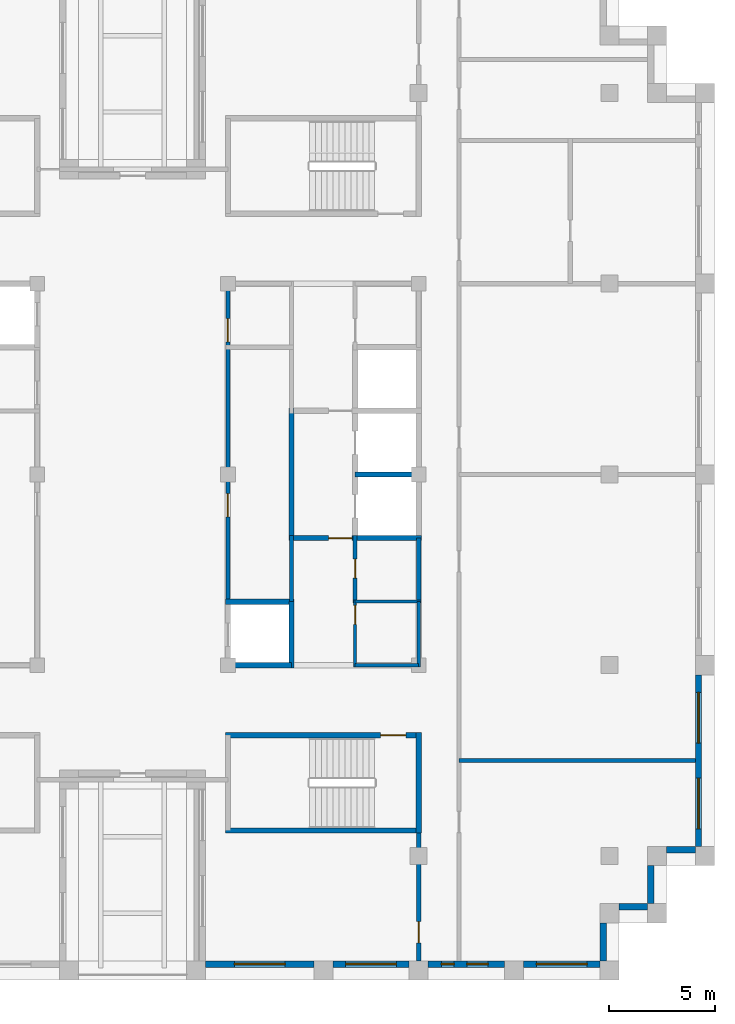
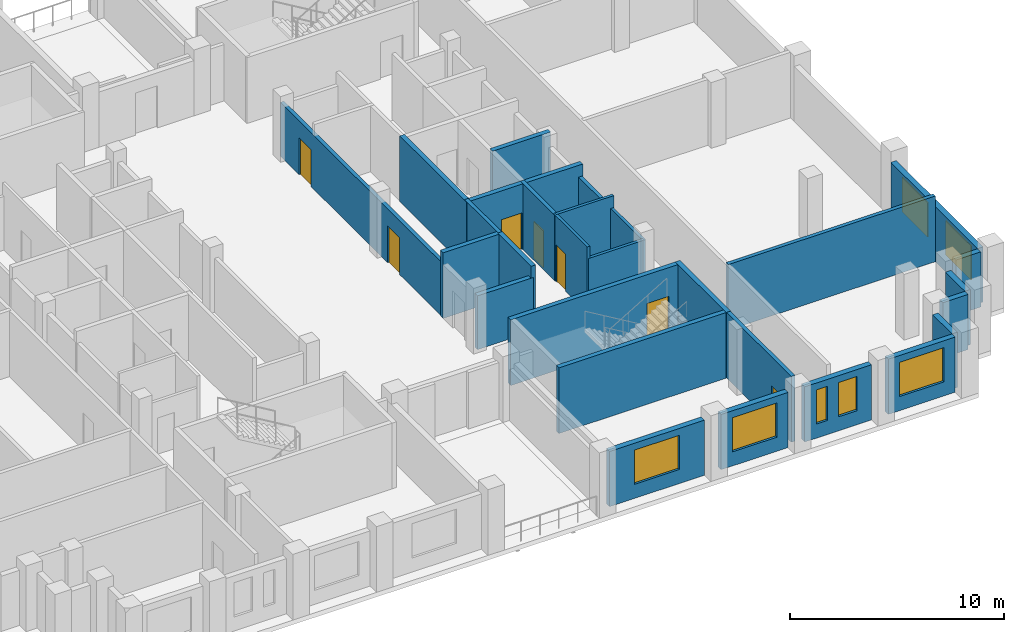
# One storey, part 4 of 9: 28 walls, 7 doors, 7 windows, 14 openings.
"""IFC4 building model written with IfcOpenShell, lengths in metres."""

from ifc_helpers import new_model, si_unit, direction, frame, frame_2d, origin, place, context, subcontext, project, spatial, rectangle, extrude, material, layer, layer_set, type_object, element, fill, save


model = new_model("IFC4")

# Units and contexts
model_context = context("Model", 3, precision=1e-05, world=origin(), true_north=direction((0.0, 1.0)))
body_context = subcontext(model_context, "Body", "Model", "MODEL_VIEW")
ifc_project = project(units=[si_unit("LENGTHUNIT", "METRE"), si_unit("AREAUNIT", "SQUARE_METRE"), si_unit("VOLUMEUNIT", "CUBIC_METRE"), si_unit("PLANEANGLEUNIT", "RADIAN"), si_unit("MASSUNIT", "GRAM", prefix="KILO")], contexts=[model_context])

# Site, building, storey
site_placement = place(None, origin())
site = spatial("IfcSite", under=ifc_project, at=site_placement, CompositionType="ELEMENT")
building_placement = place(site_placement, origin())
building = spatial("IfcBuilding", under=site, at=building_placement, Name="Corbelhall Arena Tower", CompositionType="ELEMENT")
storey_placement = place(building_placement, frame((0.0, 0.0, 300.0)))
storey = spatial("IfcBuildingStorey", under=building, at=storey_placement, Name="L65", CompositionType="ELEMENT", Elevation=300.0)

# Wall, opening, window
ifc_material_1 = material(Name="Precast concrete C40/50 with granite facing", Category="masonry")
ifc_layer_1 = layer(ifc_material_1, 0.300048828125)
ifc_layer_set_1 = layer_set([ifc_layer_1], Name="EV-IW1 Infill panel 300")
wall_type_1 = type_object("IfcWallType", Name="EV-IW1 Infill panel 300", PredefinedType="SOLIDWALL", material=ifc_layer_set_1)
wall_1_placement = place(storey_placement, frame((3.449951171875, -23.10009765625, 0.0), z_axis=(0.0, 0.0, 1.0), x_axis=(1.0, 0.0, 0.0)))
wall_1 = element("IfcWall", 1, at=wall_1_placement, inside=storey, type_object=wall_type_1, Name="Infill panel IW1", PredefinedType="SOLIDWALL", context=body_context, shape_type="SweptSolid", body=[
    extrude(rectangle(XDim=5.10009765625, YDim=0.300048828125, at=frame_2d((2.550048828125, 0.0))), origin(), (0.0, 0.0, 1.0), 3.139892578125),
])
opening_1_placement = place(wall_1_placement, frame((1.35009765625, 0.0, 0.800048828125)))
opening_1 = element("IfcOpeningElement", 2, at=opening_1_placement, cuts=wall_1, Name="Opening WN1", PredefinedType="OPENING", context=body_context, shape_type="SweptSolid", body=[
    extrude(rectangle(XDim=2.39990234375, YDim=1.949951171875, at=frame_2d((1.199951171875, 0.97509765625))), frame((0.0, 0.14990234375, 0.0), z_axis=(0.0, -1.0, 0.0), x_axis=(1.0, 0.0, 0.0)), (0.0, 0.0, 1.0), 0.300048828125),
])
ifc_material_2 = material(Name="Aluminium black anodised", Category="aluminium")
window_type_1 = type_object("IfcWindowType", Name="EV-WN1 Office window", PartitioningType="SINGLE_PANEL", PredefinedType="WINDOW", material=ifc_material_2)
window_1_placement = place(opening_1_placement, origin())
window_1 = element("IfcWindow", 3, at=window_1_placement, inside=storey, type_object=window_type_1, Name="Window WN1", OverallHeight=1.949951171875, OverallWidth=2.39990234375, PartitioningType="SINGLE_PANEL", PredefinedType="WINDOW", context=body_context, shape_type="SweptSolid", body=[
    extrude(rectangle(XDim=2.39990234375, YDim=1.949951171875, at=frame_2d((1.199951171875, 0.97509765625))), frame((0.0, 0.030029296875, 0.0), z_axis=(0.0, -1.0, 0.0), x_axis=(1.0, 0.0, 0.0)), (0.0, 0.0, 1.0), 0.06005859375),
])
fill(opening_1, window_1)

wall_2_placement = place(storey_placement, frame((9.449951171875, -23.10009765625, 0.0), z_axis=(0.0, 0.0, 1.0), x_axis=(1.0, 0.0, 0.0)))
wall_2 = element("IfcWall", 4, at=wall_2_placement, inside=storey, type_object=wall_type_1, Name="Infill panel IW1", PredefinedType="SOLIDWALL", context=body_context, shape_type="SweptSolid", body=[
    extrude(rectangle(XDim=3.60009765625, YDim=0.300048828125, at=frame_2d((1.800048828125, 0.0))), origin(), (0.0, 0.0, 1.0), 3.139892578125),
])
opening_2_placement = place(wall_2_placement, frame((0.60009765625, 0.0, 0.800048828125)))
opening_2 = element("IfcOpeningElement", 5, at=opening_2_placement, cuts=wall_2, Name="Opening WN1", PredefinedType="OPENING", context=body_context, shape_type="SweptSolid", body=[
    extrude(rectangle(XDim=2.39990234375, YDim=1.949951171875, at=frame_2d((1.199951171875, 0.97509765625))), frame((0.0, 0.14990234375, 0.0), z_axis=(0.0, -1.0, 0.0), x_axis=(1.0, 0.0, 0.0)), (0.0, 0.0, 1.0), 0.300048828125),
])
window_2_placement = place(opening_2_placement, origin())
window_2 = element("IfcWindow", 6, at=window_2_placement, inside=storey, type_object=window_type_1, Name="Window WN1", OverallHeight=1.949951171875, OverallWidth=2.39990234375, PartitioningType="SINGLE_PANEL", PredefinedType="WINDOW", context=body_context, shape_type="SweptSolid", body=[
    extrude(rectangle(XDim=2.39990234375, YDim=1.949951171875, at=frame_2d((1.199951171875, 0.97509765625))), frame((0.0, 0.030029296875, 0.0), z_axis=(0.0, -1.0, 0.0), x_axis=(1.0, 0.0, 0.0)), (0.0, 0.0, 1.0), 0.06005859375),
])
fill(opening_2, window_2)

# Wall, openings, windows
wall_3_placement = place(storey_placement, frame((13.949951171875, -23.10009765625, 0.0), z_axis=(0.0, 0.0, 1.0), x_axis=(1.0, 0.0, 0.0)))
wall_3 = element("IfcWall", 7, at=wall_3_placement, inside=storey, type_object=wall_type_1, Name="Infill panel IW1", PredefinedType="SOLIDWALL", context=body_context, shape_type="SweptSolid", body=[
    extrude(rectangle(XDim=3.60009765625, YDim=0.300048828125, at=frame_2d((1.800048828125, 0.0))), origin(), (0.0, 0.0, 1.0), 3.139892578125),
])
opening_3_placement = place(wall_3_placement, frame((0.625, 0.0, 0.800048828125)))
opening_3 = element("IfcOpeningElement", 8, at=opening_3_placement, cuts=wall_3, Name="Opening WN5", PredefinedType="OPENING", context=body_context, shape_type="SweptSolid", body=[
    extrude(rectangle(XDim=0.60009765625, YDim=1.949951171875, at=frame_2d((0.300048828125, 0.97509765625))), frame((0.0, 0.14990234375, 0.0), z_axis=(0.0, -1.0, 0.0), x_axis=(1.0, 0.0, 0.0)), (0.0, 0.0, 1.0), 0.300048828125),
])
opening_4_placement = place(wall_3_placement, frame((1.824951171875, 0.0, 0.800048828125)))
opening_4 = element("IfcOpeningElement", 9, at=opening_4_placement, cuts=wall_3, Name="Opening WN6", PredefinedType="OPENING", context=body_context, shape_type="SweptSolid", body=[
    extrude(rectangle(XDim=1.0, YDim=1.949951171875, at=frame_2d((0.5, 0.97509765625))), frame((0.0, 0.14990234375, 0.0), z_axis=(0.0, -1.0, 0.0), x_axis=(1.0, 0.0, 0.0)), (0.0, 0.0, 1.0), 0.300048828125),
])
window_type_2 = type_object("IfcWindowType", Name="EV-WN5 Office window 600", PartitioningType="SINGLE_PANEL", PredefinedType="WINDOW", material=ifc_material_2)
window_3_placement = place(opening_3_placement, origin())
window_3 = element("IfcWindow", 10, at=window_3_placement, inside=storey, type_object=window_type_2, Name="Window WN5", OverallHeight=1.949951171875, OverallWidth=0.60009765625, PartitioningType="SINGLE_PANEL", PredefinedType="WINDOW", context=body_context, shape_type="SweptSolid", body=[
    extrude(rectangle(XDim=0.60009765625, YDim=1.949951171875, at=frame_2d((0.300048828125, 0.97509765625))), frame((0.0, 0.030029296875, 0.0), z_axis=(0.0, -1.0, 0.0), x_axis=(1.0, 0.0, 0.0)), (0.0, 0.0, 1.0), 0.06005859375),
])
fill(opening_3, window_3)
window_type_3 = type_object("IfcWindowType", Name="EV-WN6 Office window 1000", PartitioningType="SINGLE_PANEL", PredefinedType="WINDOW", material=ifc_material_2)
window_4_placement = place(opening_4_placement, origin())
window_4 = element("IfcWindow", 11, at=window_4_placement, inside=storey, type_object=window_type_3, Name="Window WN6", OverallHeight=1.949951171875, OverallWidth=1.0, PartitioningType="SINGLE_PANEL", PredefinedType="WINDOW", context=body_context, shape_type="SweptSolid", body=[
    extrude(rectangle(XDim=1.0, YDim=1.949951171875, at=frame_2d((0.5, 0.97509765625))), frame((0.0, 0.030029296875, 0.0), z_axis=(0.0, -1.0, 0.0), x_axis=(1.0, 0.0, 0.0)), (0.0, 0.0, 1.0), 0.06005859375),
])
fill(opening_4, window_4)

# Wall, opening, window
wall_4_placement = place(storey_placement, frame((18.449951171875, -23.10009765625, 0.0), z_axis=(0.0, 0.0, 1.0), x_axis=(1.0, 0.0, 0.0)))
wall_4 = element("IfcWall", 12, at=wall_4_placement, inside=storey, type_object=wall_type_1, Name="Infill panel IW1", PredefinedType="SOLIDWALL", context=body_context, shape_type="SweptSolid", body=[
    extrude(rectangle(XDim=3.60009765625, YDim=0.300048828125, at=frame_2d((1.800048828125, 0.0))), origin(), (0.0, 0.0, 1.0), 3.139892578125),
])
opening_5_placement = place(wall_4_placement, frame((0.60009765625, 0.0, 0.800048828125)))
opening_5 = element("IfcOpeningElement", 13, at=opening_5_placement, cuts=wall_4, Name="Opening WN1", PredefinedType="OPENING", context=body_context, shape_type="SweptSolid", body=[
    extrude(rectangle(XDim=2.39990234375, YDim=1.949951171875, at=frame_2d((1.199951171875, 0.97509765625))), frame((0.0, 0.14990234375, 0.0), z_axis=(0.0, -1.0, 0.0), x_axis=(1.0, 0.0, 0.0)), (0.0, 0.0, 1.0), 0.300048828125),
])
window_5_placement = place(opening_5_placement, origin())
window_5 = element("IfcWindow", 14, at=window_5_placement, inside=storey, type_object=window_type_1, Name="Window WN1", OverallHeight=1.949951171875, OverallWidth=2.39990234375, PartitioningType="SINGLE_PANEL", PredefinedType="WINDOW", context=body_context, shape_type="SweptSolid", body=[
    extrude(rectangle(XDim=2.39990234375, YDim=1.949951171875, at=frame_2d((1.199951171875, 0.97509765625))), frame((0.0, 0.030029296875, 0.0), z_axis=(0.0, -1.0, 0.0), x_axis=(1.0, 0.0, 0.0)), (0.0, 0.0, 1.0), 0.06005859375),
])
fill(opening_5, window_5)

# Walls
wall_5_placement = place(storey_placement, frame((22.199951171875, -22.949951171875, 0.0), z_axis=(0.0, 0.0, 1.0), x_axis=(0.0, 1.0, 0.0)))
element("IfcWall", 15, at=wall_5_placement, inside=storey, type_object=wall_type_1, Name="Infill panel IW1", PredefinedType="SOLIDWALL", context=body_context, shape_type="SweptSolid", body=[
    extrude(rectangle(XDim=1.800048828125, YDim=0.300048828125, at=frame_2d((0.89990234375, 0.0))), origin(), (0.0, 0.0, 1.0), 3.139892578125),
])
wall_6_placement = place(storey_placement, frame((22.949951171875, -20.39990234375, 0.0), z_axis=(0.0, 0.0, 1.0), x_axis=(1.0, 0.0, 0.0)))
element("IfcWall", 16, at=wall_6_placement, inside=storey, type_object=wall_type_1, Name="Infill panel IW1", PredefinedType="SOLIDWALL", context=body_context, shape_type="SweptSolid", body=[
    extrude(rectangle(XDim=1.35009765625, YDim=0.300048828125, at=frame_2d((0.675048828125, 0.0))), origin(), (0.0, 0.0, 1.0), 3.139892578125),
])
wall_7_placement = place(storey_placement, frame((24.449951171875, -20.25, 0.0), z_axis=(0.0, 0.0, 1.0), x_axis=(0.0, 1.0, 0.0)))
element("IfcWall", 17, at=wall_7_placement, inside=storey, type_object=wall_type_1, Name="Infill panel IW1", PredefinedType="SOLIDWALL", context=body_context, shape_type="SweptSolid", body=[
    extrude(rectangle(XDim=1.800048828125, YDim=0.300048828125, at=frame_2d((0.89990234375, 0.0))), origin(), (0.0, 0.0, 1.0), 3.139892578125),
])
wall_8_placement = place(storey_placement, frame((25.199951171875, -17.699951171875, 0.0), z_axis=(0.0, 0.0, 1.0), x_axis=(1.0, 0.0, 0.0)))
element("IfcWall", 18, at=wall_8_placement, inside=storey, type_object=wall_type_1, Name="Infill panel IW1", PredefinedType="SOLIDWALL", context=body_context, shape_type="SweptSolid", body=[
    extrude(rectangle(XDim=1.35009765625, YDim=0.300048828125, at=frame_2d((0.675048828125, 0.0))), origin(), (0.0, 0.0, 1.0), 3.139892578125),
])

# Wall, openings, windows
wall_9_placement = place(storey_placement, frame((26.699951171875, -17.550048828125, 0.0), z_axis=(0.0, 0.0, 1.0), x_axis=(0.0, 1.0, 0.0)))
wall_9 = element("IfcWall", 19, at=wall_9_placement, inside=storey, type_object=wall_type_1, Name="Infill panel IW1", PredefinedType="SOLIDWALL", context=body_context, shape_type="SweptSolid", body=[
    extrude(rectangle(XDim=8.10009765625, YDim=0.300048828125, at=frame_2d((4.050048828125, 0.0))), origin(), (0.0, 0.0, 1.0), 3.139892578125),
])
opening_6_placement = place(wall_9_placement, frame((0.824951171875, 0.0, 0.800048828125)))
opening_6 = element("IfcOpeningElement", 20, at=opening_6_placement, cuts=wall_9, Name="Opening WN1", PredefinedType="OPENING", context=body_context, shape_type="SweptSolid", body=[
    extrude(rectangle(XDim=2.39990234375, YDim=1.949951171875, at=frame_2d((1.199951171875, 0.97509765625))), frame((0.0, 0.14990234375, 0.0), z_axis=(0.0, -1.0, 0.0), x_axis=(1.0, 0.0, 0.0)), (0.0, 0.0, 1.0), 0.300048828125),
])
opening_7_placement = place(wall_9_placement, frame((4.875, 0.0, 0.800048828125)))
opening_7 = element("IfcOpeningElement", 21, at=opening_7_placement, cuts=wall_9, Name="Opening WN1", PredefinedType="OPENING", context=body_context, shape_type="SweptSolid", body=[
    extrude(rectangle(XDim=2.39990234375, YDim=1.949951171875, at=frame_2d((1.199951171875, 0.97509765625))), frame((0.0, 0.14990234375, 0.0), z_axis=(0.0, -1.0, 0.0), x_axis=(1.0, 0.0, 0.0)), (0.0, 0.0, 1.0), 0.300048828125),
])
window_6_placement = place(opening_6_placement, origin())
window_6 = element("IfcWindow", 22, at=window_6_placement, inside=storey, type_object=window_type_1, Name="Window WN1", OverallHeight=1.949951171875, OverallWidth=2.39990234375, PartitioningType="SINGLE_PANEL", PredefinedType="WINDOW", context=body_context, shape_type="SweptSolid", body=[
    extrude(rectangle(XDim=2.39990234375, YDim=1.949951171875, at=frame_2d((1.199951171875, 0.97509765625))), frame((0.0, 0.030029296875, 0.0), z_axis=(0.0, -1.0, 0.0), x_axis=(1.0, 0.0, 0.0)), (0.0, 0.0, 1.0), 0.06005859375),
])
fill(opening_6, window_6)
window_7_placement = place(opening_7_placement, origin())
window_7 = element("IfcWindow", 23, at=window_7_placement, inside=storey, type_object=window_type_1, Name="Window WN1", OverallHeight=1.949951171875, OverallWidth=2.39990234375, PartitioningType="SINGLE_PANEL", PredefinedType="WINDOW", context=body_context, shape_type="SweptSolid", body=[
    extrude(rectangle(XDim=2.39990234375, YDim=1.949951171875, at=frame_2d((1.199951171875, 0.97509765625))), frame((0.0, 0.030029296875, 0.0), z_axis=(0.0, -1.0, 0.0), x_axis=(1.0, 0.0, 0.0)), (0.0, 0.0, 1.0), 0.06005859375),
])
fill(opening_7, window_7)

# Wall, opening, door
ifc_material_3 = material(Name="Gypsum board on steel stud, acoustic", Category="steel")
ifc_layer_2 = layer(ifc_material_3, 0.199951171875)
ifc_layer_set_2 = layer_set([ifc_layer_2], Name="IN-W-DM200")
wall_type_2 = type_object("IfcWallType", Name="IN-W-DM200", PredefinedType="PARTITIONING", material=ifc_layer_set_2)
wall_10_placement = place(storey_placement, frame((13.5, -22.949951171875, 0.0), z_axis=(0.0, 0.0, 1.0), x_axis=(0.0, 1.0, 0.0)))
wall_10 = element("IfcWall", 24, at=wall_10_placement, inside=storey, type_object=wall_type_2, Name="Partition 020", PredefinedType="PARTITIONING", context=body_context, shape_type="SweptSolid", body=[
    extrude(rectangle(XDim=6.27490234375, YDim=0.199951171875, at=frame_2d((3.137451171875, 0.0))), origin(), (0.0, 0.0, 1.0), 3.739990234375),
])
opening_8_placement = place(wall_10_placement, frame((0.85009765625, 0.0, 0.0)))
opening_8 = element("IfcOpeningElement", 25, at=opening_8_placement, cuts=wall_10, Name="Opening 21020", PredefinedType="OPENING", context=body_context, shape_type="SweptSolid", body=[
    extrude(rectangle(XDim=1.0, YDim=2.10009765625, at=frame_2d((0.5, 1.050048828125))), frame((0.0, 0.10009765625, 0.0), z_axis=(0.0, -1.0, 0.0), x_axis=(1.0, 0.0, 0.0)), (0.0, 0.0, 1.0), 0.199951171875),
])
ifc_material_4 = material(Name="Steel door set", Category="steel")
door_type_1 = type_object("IfcDoorType", Name="IN-D-SW100", OperationType="NOTDEFINED", PredefinedType="DOOR", material=ifc_material_4)
door_1_placement = place(opening_8_placement, origin())
door_1 = element("IfcDoor", 26, at=door_1_placement, inside=storey, type_object=door_type_1, Name="Door 020", OperationType="SINGLE_SWING_LEFT", OverallHeight=2.10009765625, OverallWidth=1.0, PredefinedType="DOOR", context=body_context, shape_type="SweptSolid", body=[
    extrude(rectangle(XDim=1.0, YDim=2.10009765625, at=frame_2d((0.5, 1.050048828125))), frame((0.0, 0.02490234375, 0.0), z_axis=(0.0, -1.0, 0.0), x_axis=(1.0, 0.0, 0.0)), (0.0, 0.0, 1.0), 0.050048828125),
])
fill(opening_8, door_1)

# Walls
wall_11_placement = place(storey_placement, frame((15.39990234375, -13.5, 0.0), z_axis=(0.0, 0.0, 1.0), x_axis=(1.0, 0.0, 0.0)))
element("IfcWall", 27, at=wall_11_placement, inside=storey, type_object=wall_type_2, Name="Partition 022", PredefinedType="PARTITIONING", context=body_context, shape_type="SweptSolid", body=[
    extrude(rectangle(XDim=11.150146484375, YDim=0.199951171875, at=frame_2d((5.5751953125, 0.0))), origin(), (0.0, 0.0, 1.0), 3.739990234375),
])
ifc_material_5 = material(Name="Concrete block wall", Category="concrete")
ifc_layer_3 = layer(ifc_material_5, 0.199951171875)
ifc_layer_set_3 = layer_set([ifc_layer_3], Name="IN-W-RS200")
wall_type_3 = type_object("IfcWallType", Name="IN-W-RS200", PredefinedType="SOLIDWALL", material=ifc_layer_set_3)
wall_12_placement = place(storey_placement, frame((7.5, -2.875, 0.0), z_axis=(0.0, 0.0, 1.0), x_axis=(0.0, -1.0, 0.0)))
element("IfcWall", 28, at=wall_12_placement, inside=storey, type_object=wall_type_3, Name="Partition 039", PredefinedType="SOLIDWALL", context=body_context, shape_type="SweptSolid", body=[
    extrude(rectangle(XDim=3.125, YDim=0.199951171875, at=frame_2d((1.5625, 0.0))), origin(), (0.0, 0.0, 1.0), 3.739990234375),
])

# Wall, opening, door
wall_13_placement = place(storey_placement, frame((10.5, -2.875, 0.0), z_axis=(0.0, 0.0, 1.0), x_axis=(0.0, -1.0, 0.0)))
wall_13 = element("IfcWall", 29, at=wall_13_placement, inside=storey, type_object=wall_type_3, Name="Partition 041", PredefinedType="SOLIDWALL", context=body_context, shape_type="SweptSolid", body=[
    extrude(rectangle(XDim=3.199951171875, YDim=0.199951171875, at=frame_2d((1.60009765625, 0.0))), origin(), (0.0, 0.0, 1.0), 3.739990234375),
])
opening_9_placement = place(wall_13_placement, frame((1.1201171875, 0.0, 0.0)))
opening_9 = element("IfcOpeningElement", 30, at=opening_9_placement, cuts=wall_13, Name="Opening 21036", PredefinedType="OPENING", context=body_context, shape_type="SweptSolid", body=[
    extrude(rectangle(XDim=0.89990234375, YDim=2.10009765625, at=frame_2d((0.449951171875, 1.050048828125))), frame((0.0, 0.10009765625, 0.0), z_axis=(0.0, -1.0, 0.0), x_axis=(1.0, 0.0, 0.0)), (0.0, 0.0, 1.0), 0.199951171875),
])
ifc_material_6 = material(Name="Timber door set", Category="wood")
door_type_2 = type_object("IfcDoorType", Name="IN-D-SW90", OperationType="NOTDEFINED", PredefinedType="DOOR", material=ifc_material_6)
door_2_placement = place(opening_9_placement, origin())
door_2 = element("IfcDoor", 31, at=door_2_placement, inside=storey, type_object=door_type_2, Name="Door 036", OperationType="SINGLE_SWING_LEFT", OverallHeight=2.10009765625, OverallWidth=0.89990234375, PredefinedType="DOOR", context=body_context, shape_type="SweptSolid", body=[
    extrude(rectangle(XDim=0.89990234375, YDim=2.10009765625, at=frame_2d((0.449951171875, 1.050048828125))), frame((0.0, 0.02490234375, 0.0), z_axis=(0.0, -1.0, 0.0), x_axis=(1.0, 0.0, 0.0)), (0.0, 0.0, 1.0), 0.050048828125),
])
fill(opening_9, door_2)

# Wall, openings, doors
ifc_layer_4 = layer(ifc_material_5, 0.199951171875)
ifc_layer_set_4 = layer_set([ifc_layer_4], Name="IN-W-RS200 under beam 678 mm")
wall_type_4 = type_object("IfcWallType", Name="IN-W-RS200 under beam 678 mm", PredefinedType="SOLIDWALL", material=ifc_layer_set_4)
wall_14_placement = place(storey_placement, frame((4.5, -6.0, 0.0), z_axis=(0.0, 0.0, 1.0), x_axis=(0.0, 1.0, 0.0)))
wall_14 = element("IfcWall", 32, at=wall_14_placement, inside=storey, type_object=wall_type_4, Name="Partition 037", PredefinedType="SOLIDWALL", context=body_context, shape_type="SweptSolid", body=[
    extrude(rectangle(XDim=15.10009765625, YDim=0.199951171875, at=frame_2d((7.550048828125, 0.0))), origin(), (0.0, 0.0, 1.0), 3.061767578125),
])
opening_10_placement = place(wall_14_placement, frame((4.0, 0.0, 0.0)))
opening_10 = element("IfcOpeningElement", 33, at=opening_10_placement, cuts=wall_14, Name="Opening 21008", PredefinedType="OPENING", context=body_context, shape_type="SweptSolid", body=[
    extrude(rectangle(XDim=1.10009765625, YDim=2.10009765625, at=frame_2d((0.550048828125, 1.050048828125))), frame((0.0, 0.10009765625, 0.0), z_axis=(0.0, -1.0, 0.0), x_axis=(1.0, 0.0, 0.0)), (0.0, 0.0, 1.0), 0.199951171875),
])
opening_11_placement = place(wall_14_placement, frame((12.25, 0.0, 0.0)))
opening_11 = element("IfcOpeningElement", 34, at=opening_11_placement, cuts=wall_14, Name="Opening 21009", PredefinedType="OPENING", context=body_context, shape_type="SweptSolid", body=[
    extrude(rectangle(XDim=1.10009765625, YDim=2.10009765625, at=frame_2d((0.550048828125, 1.050048828125))), frame((0.0, 0.10009765625, 0.0), z_axis=(0.0, -1.0, 0.0), x_axis=(1.0, 0.0, 0.0)), (0.0, 0.0, 1.0), 0.199951171875),
])
door_type_3 = type_object("IfcDoorType", Name="IN-D-FD110", OperationType="NOTDEFINED", PredefinedType="DOOR", material=ifc_material_4)
door_3_placement = place(opening_10_placement, origin())
door_3 = element("IfcDoor", 35, at=door_3_placement, inside=storey, type_object=door_type_3, Name="Door 008", OperationType="SINGLE_SWING_LEFT", OverallHeight=2.10009765625, OverallWidth=1.10009765625, PredefinedType="DOOR", context=body_context, shape_type="SweptSolid", body=[
    extrude(rectangle(XDim=1.10009765625, YDim=2.10009765625, at=frame_2d((0.550048828125, 1.050048828125))), frame((0.0, 0.02490234375, 0.0), z_axis=(0.0, -1.0, 0.0), x_axis=(1.0, 0.0, 0.0)), (0.0, 0.0, 1.0), 0.050048828125),
])
fill(opening_10, door_3)
door_4_placement = place(opening_11_placement, origin())
door_4 = element("IfcDoor", 36, at=door_4_placement, inside=storey, type_object=door_type_3, Name="Door 009", OperationType="SINGLE_SWING_RIGHT", OverallHeight=2.10009765625, OverallWidth=1.10009765625, PredefinedType="DOOR", context=body_context, shape_type="SweptSolid", body=[
    extrude(rectangle(XDim=1.10009765625, YDim=2.10009765625, at=frame_2d((0.550048828125, 1.050048828125))), frame((0.0, 0.02490234375, 0.0), z_axis=(0.0, -1.0, 0.0), x_axis=(1.0, 0.0, 0.0)), (0.0, 0.0, 1.0), 0.050048828125),
])
fill(opening_11, door_4)

# Walls
wall_15_placement = place(storey_placement, frame((13.5, -3.0, 0.0), z_axis=(0.0, 0.0, 1.0), x_axis=(0.0, -1.0, 0.0)))
element("IfcWall", 37, at=wall_15_placement, inside=storey, type_object=wall_type_4, Name="Partition 044", PredefinedType="SOLIDWALL", context=body_context, shape_type="SweptSolid", body=[
    extrude(rectangle(XDim=3.0, YDim=0.199951171875, at=frame_2d((1.5, 0.0))), origin(), (0.0, 0.0, 1.0), 3.061767578125),
])
ifc_material_7 = material(Name="Concrete C40/50", Category="concrete")
ifc_layer_5 = layer(ifc_material_7, 0.25)
ifc_layer_set_5 = layer_set([ifc_layer_5], Name="IN-W-SH250")
wall_type_5 = type_object("IfcWallType", Name="IN-W-SH250", PredefinedType="SOLIDWALL", material=ifc_layer_set_5)
wall_16_placement = place(storey_placement, frame((4.375, -6.0, 0.0), z_axis=(0.0, 0.0, 1.0), x_axis=(1.0, 0.0, 0.0)))
element("IfcWall", 38, at=wall_16_placement, inside=storey, type_object=wall_type_5, Name="Shaft wall 056", PredefinedType="SOLIDWALL", context=body_context, shape_type="SweptSolid", body=[
    extrude(rectangle(XDim=3.25, YDim=0.25, at=frame_2d((1.625, 0.0))), origin(), (0.0, 0.0, 1.0), 3.739990234375),
])
wall_17_placement = place(storey_placement, frame((7.5, -6.0, 0.0), z_axis=(0.0, 0.0, 1.0), x_axis=(0.0, -1.0, 0.0)))
element("IfcWall", 39, at=wall_17_placement, inside=storey, type_object=wall_type_5, Name="Shaft wall 059", PredefinedType="SOLIDWALL", context=body_context, shape_type="SweptSolid", body=[
    extrude(rectangle(XDim=3.125, YDim=0.25, at=frame_2d((1.5625, 0.0))), origin(), (0.0, 0.0, 1.0), 3.739990234375),
])

# Wall, opening, door
wall_18_placement = place(storey_placement, frame((7.5, -3.0, 0.0), z_axis=(0.0, 0.0, 1.0), x_axis=(1.0, 0.0, 0.0)))
wall_18 = element("IfcWall", 40, at=wall_18_placement, inside=storey, type_object=wall_type_5, Name="Shaft wall 060", PredefinedType="SOLIDWALL", context=body_context, shape_type="SweptSolid", body=[
    extrude(rectangle(XDim=6.125, YDim=0.25, at=frame_2d((3.0625, 0.0))), origin(), (0.0, 0.0, 1.0), 3.739990234375),
])
opening_12_placement = place(wall_18_placement, frame((1.75, 0.0, 0.0)))
opening_12 = element("IfcOpeningElement", 41, at=opening_12_placement, cuts=wall_18, Name="Opening 21010", PredefinedType="OPENING", context=body_context, shape_type="SweptSolid", body=[
    extrude(rectangle(XDim=1.10009765625, YDim=2.10009765625, at=frame_2d((0.550048828125, 1.050048828125))), frame((0.0, 0.125, 0.0), z_axis=(0.0, -1.0, 0.0), x_axis=(1.0, 0.0, 0.0)), (0.0, 0.0, 1.0), 0.25),
])
door_5_placement = place(opening_12_placement, origin())
door_5 = element("IfcDoor", 42, at=door_5_placement, inside=storey, type_object=door_type_3, Name="Door 010", OperationType="SINGLE_SWING_LEFT", OverallHeight=2.10009765625, OverallWidth=1.10009765625, PredefinedType="DOOR", context=body_context, shape_type="SweptSolid", body=[
    extrude(rectangle(XDim=1.10009765625, YDim=2.10009765625, at=frame_2d((0.550048828125, 1.050048828125))), frame((0.0, 0.02490234375, 0.0), z_axis=(0.0, -1.0, 0.0), x_axis=(1.0, 0.0, 0.0)), (0.0, 0.0, 1.0), 0.050048828125),
])
fill(opening_12, door_5)

# Walls
wall_19_placement = place(storey_placement, frame((7.5, 3.125, 0.0), z_axis=(0.0, 0.0, 1.0), x_axis=(0.0, -1.0, 0.0)))
element("IfcWall", 43, at=wall_19_placement, inside=storey, type_object=wall_type_5, Name="Shaft wall 062", PredefinedType="SOLIDWALL", context=body_context, shape_type="SweptSolid", body=[
    extrude(rectangle(XDim=6.25, YDim=0.25, at=frame_2d((3.125, 0.0))), origin(), (0.0, 0.0, 1.0), 3.739990234375),
])
wall_20_placement = place(storey_placement, frame((10.5, 0.0, 0.0), z_axis=(0.0, 0.0, 1.0), x_axis=(1.0, 0.0, 0.0)))
element("IfcWall", 44, at=wall_20_placement, inside=storey, type_object=wall_type_5, Name="Shaft wall 063", PredefinedType="SOLIDWALL", context=body_context, shape_type="SweptSolid", body=[
    extrude(rectangle(XDim=3.125, YDim=0.25, at=frame_2d((1.5625, 0.0))), origin(), (0.0, 0.0, 1.0), 3.739990234375),
])
ifc_layer_6 = layer(ifc_material_7, 0.25)
ifc_layer_set_6 = layer_set([ifc_layer_6], Name="IN-W-SH250 under beam 678 mm")
wall_type_6 = type_object("IfcWallType", Name="IN-W-SH250 under beam 678 mm", PredefinedType="SOLIDWALL", material=ifc_layer_set_6)
wall_21_placement = place(storey_placement, frame((7.5, -9.0, 0.0), z_axis=(0.0, 0.0, 1.0), x_axis=(-1.0, 0.0, 0.0)))
element("IfcWall", 45, at=wall_21_placement, inside=storey, type_object=wall_type_6, Name="Shaft wall 058", PredefinedType="SOLIDWALL", context=body_context, shape_type="SweptSolid", body=[
    extrude(rectangle(XDim=3.0, YDim=0.25, at=frame_2d((1.5, 0.0))), origin(), (0.0, 0.0, 1.0), 3.061767578125),
])
ifc_layer_7 = layer(ifc_material_7, 0.25)
ifc_layer_set_7 = layer_set([ifc_layer_7], Name="IN-W-ST250")
wall_type_7 = type_object("IfcWallType", Name="IN-W-ST250", PredefinedType="SOLIDWALL", material=ifc_layer_set_7)
wall_22_placement = place(storey_placement, frame((13.5, -16.925048828125, 0.0), z_axis=(0.0, 0.0, 1.0), x_axis=(0.0, 1.0, 0.0)))
element("IfcWall", 46, at=wall_22_placement, inside=storey, type_object=wall_type_7, Name="Shaft wall 079", PredefinedType="SOLIDWALL", context=body_context, shape_type="SweptSolid", body=[
    extrude(rectangle(XDim=4.75, YDim=0.25, at=frame_2d((2.375, 0.0))), origin(), (0.0, 0.0, 1.0), 3.739990234375),
])
wall_23_placement = place(storey_placement, frame((13.5, -16.800048828125, 0.0), z_axis=(0.0, 0.0, 1.0), x_axis=(-1.0, 0.0, 0.0)))
element("IfcWall", 47, at=wall_23_placement, inside=storey, type_object=wall_type_7, Name="Shaft wall 080", PredefinedType="SOLIDWALL", context=body_context, shape_type="SweptSolid", body=[
    extrude(rectangle(XDim=9.125, YDim=0.25, at=frame_2d((4.5625, 0.0))), origin(), (0.0, 0.0, 1.0), 3.739990234375),
])

# Wall, opening, door
wall_24_placement = place(storey_placement, frame((13.5, -12.300048828125, 0.0), z_axis=(0.0, 0.0, 1.0), x_axis=(-1.0, 0.0, 0.0)))
wall_24 = element("IfcWall", 48, at=wall_24_placement, inside=storey, type_object=wall_type_7, Name="Shaft wall 081", PredefinedType="SOLIDWALL", context=body_context, shape_type="SweptSolid", body=[
    extrude(rectangle(XDim=9.125, YDim=0.25, at=frame_2d((4.5625, 0.0))), origin(), (0.0, 0.0, 1.0), 3.739990234375),
])
opening_13_placement = place(wall_24_placement, frame((0.60009765625, 0.0, 0.0)))
opening_13 = element("IfcOpeningElement", 49, at=opening_13_placement, cuts=wall_24, Name="Opening 21017", PredefinedType="OPENING", context=body_context, shape_type="SweptSolid", body=[
    extrude(rectangle(XDim=1.199951171875, YDim=2.10009765625, at=frame_2d((0.60009765625, 1.050048828125))), frame((0.0, 0.125, 0.0), z_axis=(0.0, -1.0, 0.0), x_axis=(1.0, 0.0, 0.0)), (0.0, 0.0, 1.0), 0.25),
])
door_type_4 = type_object("IfcDoorType", Name="IN-D-ST120", OperationType="NOTDEFINED", PredefinedType="DOOR", material=ifc_material_4)
door_6_placement = place(opening_13_placement, origin())
door_6 = element("IfcDoor", 50, at=door_6_placement, inside=storey, type_object=door_type_4, Name="Door 017", OperationType="SINGLE_SWING_RIGHT", OverallHeight=2.10009765625, OverallWidth=1.199951171875, PredefinedType="DOOR", context=body_context, shape_type="SweptSolid", body=[
    extrude(rectangle(XDim=1.199951171875, YDim=2.10009765625, at=frame_2d((0.60009765625, 1.050048828125))), frame((0.0, 0.02490234375, 0.0), z_axis=(0.0, -1.0, 0.0), x_axis=(1.0, 0.0, 0.0)), (0.0, 0.0, 1.0), 0.050048828125),
])
fill(opening_13, door_6)

# Wall
ifc_material_8 = material(Name="Gypsum board on steel stud, moisture resistant", Category="steel")
ifc_layer_8 = layer(ifc_material_8, 0.14990234375)
ifc_layer_set_8 = layer_set([ifc_layer_8], Name="IN-W-WC150")
wall_type_8 = type_object("IfcWallType", Name="IN-W-WC150", PredefinedType="PARTITIONING", material=ifc_layer_set_8)
wall_25_placement = place(storey_placement, frame((10.5, -6.0, 0.0), z_axis=(0.0, 0.0, 1.0), x_axis=(1.0, 0.0, 0.0)))
element("IfcWall", 51, at=wall_25_placement, inside=storey, type_object=wall_type_8, Name="Partition 090", PredefinedType="PARTITIONING", context=body_context, shape_type="SweptSolid", body=[
    extrude(rectangle(XDim=3.10009765625, YDim=0.14990234375, at=frame_2d((1.550048828125, 0.0))), origin(), (0.0, 0.0, 1.0), 3.739990234375),
])

# Wall, opening, door
wall_26_placement = place(storey_placement, frame((10.5, -5.925048828125, 0.0), z_axis=(0.0, 0.0, 1.0), x_axis=(0.0, -1.0, 0.0)))
wall_26 = element("IfcWall", 52, at=wall_26_placement, inside=storey, type_object=wall_type_8, Name="Partition 091", PredefinedType="PARTITIONING", context=body_context, shape_type="SweptSolid", body=[
    extrude(rectangle(XDim=3.14990234375, YDim=0.14990234375, at=frame_2d((1.574951171875, 0.0))), origin(), (0.0, 0.0, 1.0), 3.739990234375),
])
opening_14_placement = place(wall_26_placement, frame((0.25, 0.0, 0.0)))
opening_14 = element("IfcOpeningElement", 53, at=opening_14_placement, cuts=wall_26, Name="Opening 21012", PredefinedType="OPENING", context=body_context, shape_type="SweptSolid", body=[
    extrude(rectangle(XDim=0.89990234375, YDim=2.10009765625, at=frame_2d((0.449951171875, 1.050048828125))), frame((0.0, 0.074951171875, 0.0), z_axis=(0.0, -1.0, 0.0), x_axis=(1.0, 0.0, 0.0)), (0.0, 0.0, 1.0), 0.14990234375),
])
door_7_placement = place(opening_14_placement, origin())
door_7 = element("IfcDoor", 54, at=door_7_placement, inside=storey, type_object=door_type_2, Name="Door 012", OperationType="SINGLE_SWING_LEFT", OverallHeight=2.10009765625, OverallWidth=0.89990234375, PredefinedType="DOOR", context=body_context, shape_type="SweptSolid", body=[
    extrude(rectangle(XDim=0.89990234375, YDim=2.10009765625, at=frame_2d((0.449951171875, 1.050048828125))), frame((0.0, 0.02490234375, 0.0), z_axis=(0.0, -1.0, 0.0), x_axis=(1.0, 0.0, 0.0)), (0.0, 0.0, 1.0), 0.050048828125),
])
fill(opening_14, door_7)

# Walls
ifc_layer_9 = layer(ifc_material_8, 0.14990234375)
ifc_layer_set_9 = layer_set([ifc_layer_9], Name="IN-W-WC150 under beam 678 mm")
wall_type_9 = type_object("IfcWallType", Name="IN-W-WC150 under beam 678 mm", PredefinedType="PARTITIONING", material=ifc_layer_set_9)
wall_27_placement = place(storey_placement, frame((13.5, -9.0, 0.0), z_axis=(0.0, 0.0, 1.0), x_axis=(-1.0, 0.0, 0.0)))
element("IfcWall", 55, at=wall_27_placement, inside=storey, type_object=wall_type_9, Name="Partition 092", PredefinedType="PARTITIONING", context=body_context, shape_type="SweptSolid", body=[
    extrude(rectangle(XDim=3.0, YDim=0.14990234375, at=frame_2d((1.5, 0.0))), origin(), (0.0, 0.0, 1.0), 3.061767578125),
])
wall_28_placement = place(storey_placement, frame((13.5, -6.0, 0.0), z_axis=(0.0, 0.0, 1.0), x_axis=(0.0, -1.0, 0.0)))
element("IfcWall", 56, at=wall_28_placement, inside=storey, type_object=wall_type_9, Name="Partition 093", PredefinedType="PARTITIONING", context=body_context, shape_type="SweptSolid", body=[
    extrude(rectangle(XDim=3.074951171875, YDim=0.14990234375, at=frame_2d((1.53759765625, 0.0))), origin(), (0.0, 0.0, 1.0), 3.061767578125),
])

save(model, "model.ifc")
